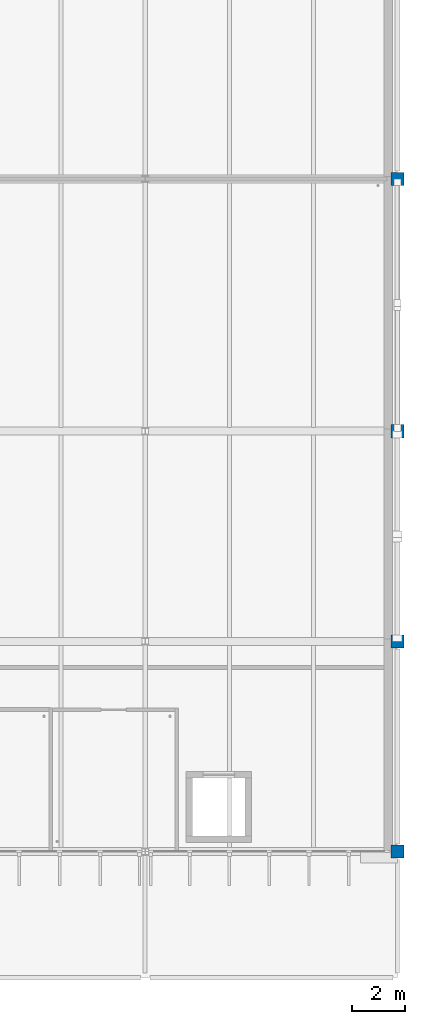
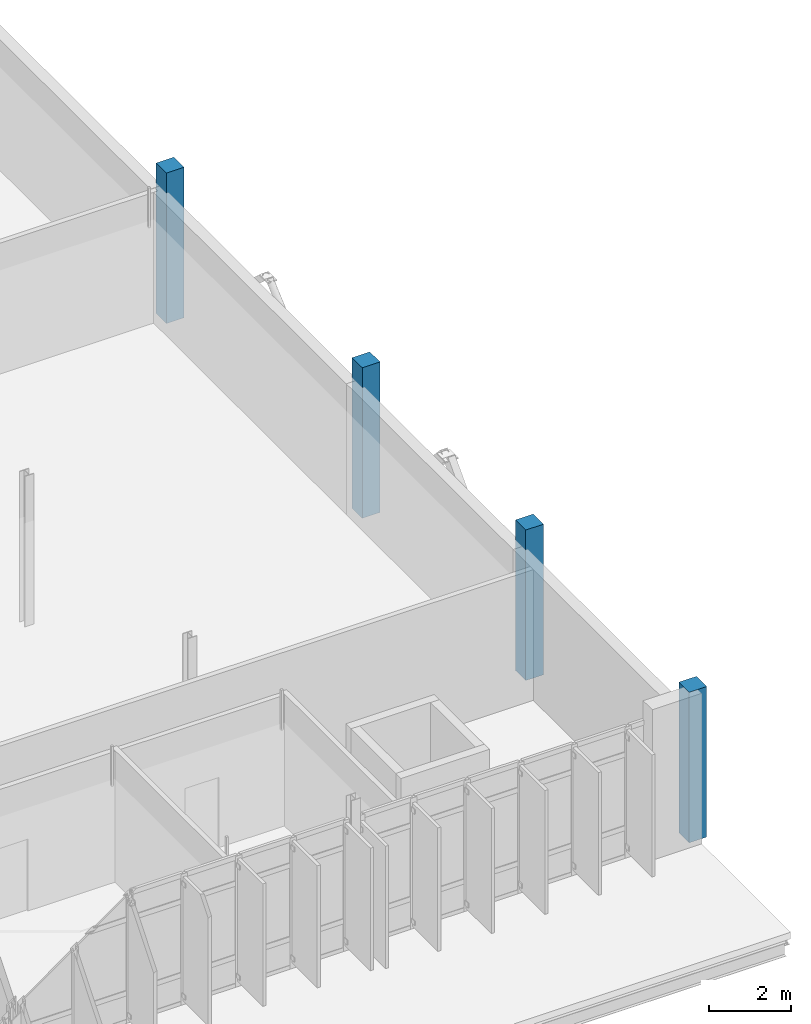
# One storey, part 14 of 107: 4 columns.
"""IFC4 building model written with IfcOpenShell, lengths in metres."""

from ifc_helpers import new_model, si_unit, direction, frame, origin, origin_2d, place, context, subcontext, project, spatial, rectangle, extrude, material, material_profile, profile_set, type_object, element, save


model = new_model("IFC4")

# Units and contexts
model_context = context("Model", 3, precision=1e-05, world=origin(), true_north=direction((0.0, 1.0)))
body_context = subcontext(model_context, "Body", "Model", "MODEL_VIEW")
ifc_project = project(units=[si_unit("LENGTHUNIT", "METRE"), si_unit("AREAUNIT", "SQUARE_METRE"), si_unit("VOLUMEUNIT", "CUBIC_METRE"), si_unit("PLANEANGLEUNIT", "RADIAN"), si_unit("MASSUNIT", "GRAM", prefix="KILO")], contexts=[model_context])

# Site, building, storey
site_placement = place(None, origin())
site = spatial("IfcSite", under=ifc_project, at=site_placement, CompositionType="ELEMENT")
building_placement = place(site_placement, origin())
building = spatial("IfcBuilding", under=site, at=building_placement, Name="Dunescarp Central Library", CompositionType="ELEMENT")
storey_placement = place(building_placement, frame((0.0, 0.0, 5.10009765625)))
storey = spatial("IfcBuildingStorey", under=building, at=storey_placement, Name="L01", CompositionType="ELEMENT", Elevation=5.10009765625)

# Columns
ifc_material = material(Name="Concrete C40/50", Category="concrete")
ifc_material_profile = material_profile(ifc_material, rectangle(XDim=0.5, YDim=0.5, at=origin_2d()), Name="RC 500x500")
ifc_profile_set = profile_set([ifc_material_profile], Name="Concrete C40/50")
column_type = type_object("IfcColumnType", Name="STR-COL-RC500", PredefinedType="COLUMN", material=ifc_profile_set)
for number, where, z_axis, x_axis, name in (
    (1, (168.0, 4.800048828125, 0.0), (0.0, 0.0, 1.0), (1.0, 0.0, 0.0), "L01 column V5-1680-48"),
    (2, (168.0, 12.800048828125, 0.0), (0.0, 0.0, 1.0), (1.0, 0.0, 0.0), "L01 column V5-1680-128"),
    (3, (168.0, 20.800048828125, 0.0), (0.0, 0.0, 1.0), (1.0, 0.0, 0.0), "L01 column V5-1680-208"),
    (4, (168.0, 30.39990234375, 0.0), (0.0, 0.0, 1.0), (1.0, 0.0, 0.0), "L01 column V5-1680-304"),
):
    element("IfcColumn", number, at=place(storey_placement, frame(where, z_axis=z_axis, x_axis=x_axis)), inside=storey, type_object=column_type, Name=name, PredefinedType="COLUMN", context=body_context, shape_type="SweptSolid", body=[
        extrude(rectangle(XDim=0.5, YDim=0.5, at=origin_2d()), origin(), (0.0, 0.0, 1.0), 4.5),
    ])

save(model, "model.ifc")
